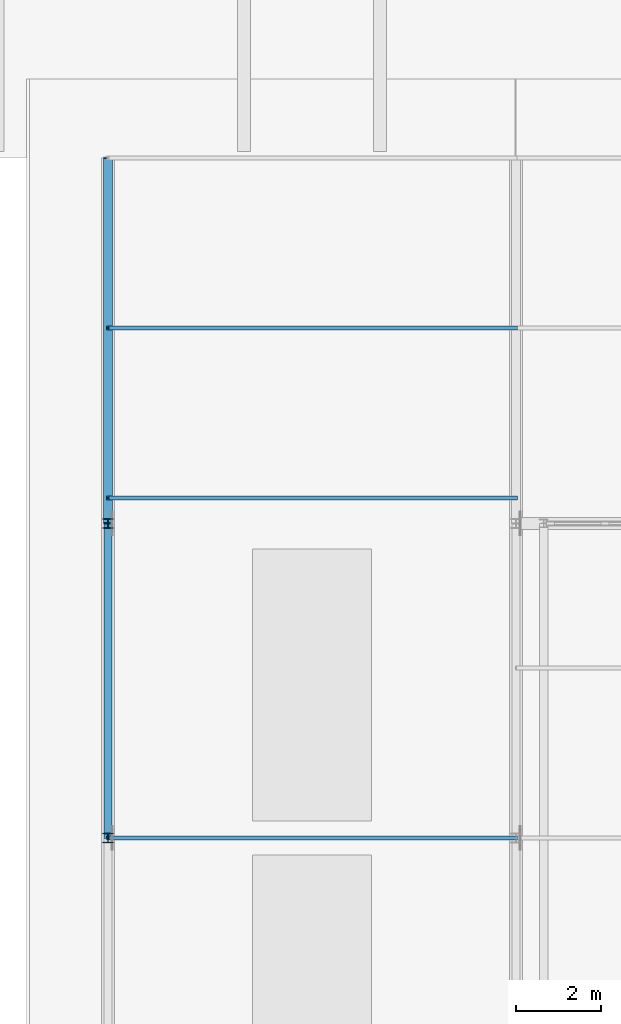
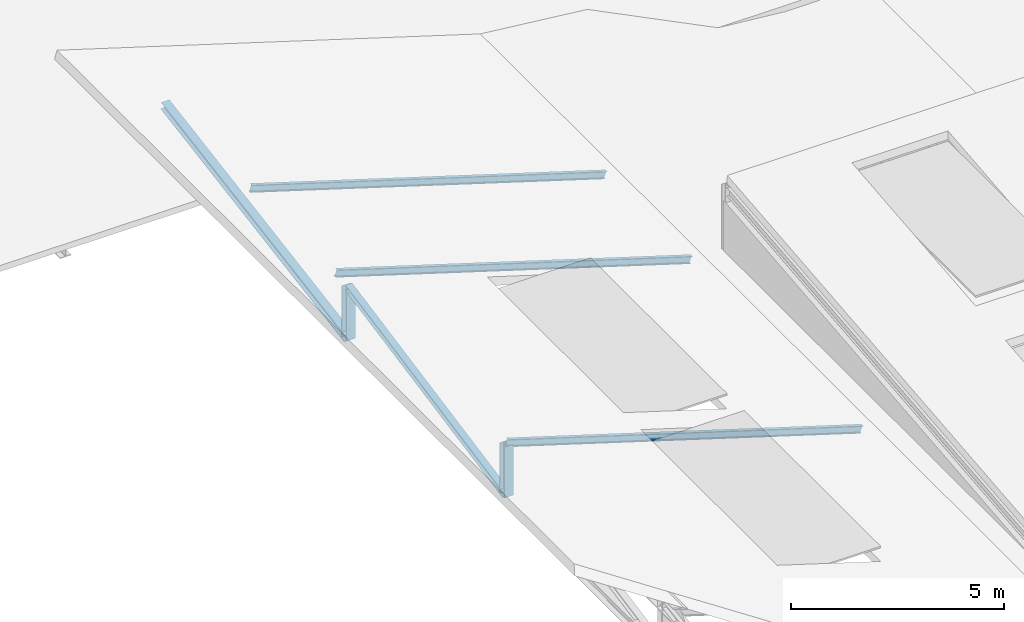
# One storey, part 5 of 30: 7 members.
"""IFC4 building model written with IfcOpenShell, lengths in metres."""

from ifc_helpers import new_model, si_unit, direction, frame, origin, origin_2d, place, context, subcontext, project, spatial, i_section, extrude, material, material_profile, profile_set, type_object, element, save


model = new_model("IFC4")

# Units and contexts
model_context = context("Model", 3, precision=1e-05, world=origin(), true_north=direction((0.0, 1.0)))
body_context = subcontext(model_context, "Body", "Model", "MODEL_VIEW")
ifc_project = project(units=[si_unit("LENGTHUNIT", "METRE"), si_unit("AREAUNIT", "SQUARE_METRE"), si_unit("VOLUMEUNIT", "CUBIC_METRE"), si_unit("PLANEANGLEUNIT", "RADIAN"), si_unit("MASSUNIT", "GRAM", prefix="KILO")], contexts=[model_context])

# Site, building, storey
site_placement = place(None, origin())
site = spatial("IfcSite", under=ifc_project, at=site_placement, CompositionType="ELEMENT")
building_placement = place(site_placement, origin())
building = spatial("IfcBuilding", under=site, at=building_placement, Name="Alderhovde Museum", CompositionType="ELEMENT")
storey_placement = place(building_placement, frame((0.0, 0.0, 30.699951171875)))
storey = spatial("IfcBuildingStorey", under=building, at=storey_placement, Name="RF", CompositionType="ELEMENT", Elevation=30.699951171875)

# Members
ifc_material_1 = material(Name="Steel S355J2", Category="steel")
ifc_material_profile_1 = material_profile(ifc_material_1, i_section(OverallWidth=0.10009765625, OverallDepth=0.199951171875, WebThickness=0.005615234375, FlangeThickness=0.008544921875, FilletRadius=0.011962890625, at=origin_2d()), Name="IPE 200")
ifc_profile_set_1 = profile_set([ifc_material_profile_1], Name="Steel S355J2")
member_type_1 = type_object("IfcMemberType", Name="PRL-IPE200", PredefinedType="PURLIN", material=ifc_profile_set_1)
for number, where, z_axis, x_axis, name in (
    (1, (9.60009765625, 64.0, 1.22998046875), (0.955325587026, 0.0, -0.295555447882), (0.0, 1.0, 0.0), "Folded Wing Roof Purlin Bay 1 Y=64"),
    (2, (9.60009765625, 72.0, 1.22998046875), (0.955325587026, 0.0, -0.295555447882), (0.0, 1.0, 0.0), "Folded Wing Roof Purlin Bay 1 Y=72"),
    (3, (9.60009765625, 76.0, 1.22998046875), (0.955325587026, 0.0, -0.295555447882), (0.0, 1.0, 0.0), "Folded Wing Roof Purlin Bay 1 Y=76"),
):
    element("IfcMember", number, at=place(storey_placement, frame(where, z_axis=z_axis, x_axis=x_axis)), inside=storey, type_object=member_type_1, Name=name, PredefinedType="PURLIN", context=body_context, shape_type="SweptSolid", body=[
        extrude(i_section(OverallWidth=0.10009765625, OverallDepth=0.199951171875, WebThickness=0.005615234375, FlangeThickness=0.008544921875, FilletRadius=0.011962890625, at=origin_2d()), origin(), (0.0, 0.0, 1.0), 10.048828125),
    ])
ifc_material_2 = material(Name="Steel S355J2", Category="steel")
ifc_material_profile_2 = material_profile(ifc_material_2, i_section(OverallWidth=0.179931640625, OverallDepth=0.1708984375, WebThickness=0.006103515625, FlangeThickness=0.009521484375, FilletRadius=0.014892578125, at=origin_2d()), Name="HEA 180")
ifc_profile_set_2 = profile_set([ifc_material_profile_2], Name="Steel S355J2")
member_type_2 = type_object("IfcMemberType", Name="TR-DG-HEA180", PredefinedType="RAFTER", material=ifc_profile_set_2)
member_1_placement = place(storey_placement, frame((9.60009765625, 64.0, -0.25), z_axis=(0.0, 0.981339033656, 0.192285467532), x_axis=(-1.0, 0.0, 0.0)))
element("IfcMember", 4, at=member_1_placement, inside=storey, type_object=member_type_2, Name="Sawtooth Roof Truss X=9.6 Web Diagonal 3", PredefinedType="RAFTER", context=body_context, shape_type="SweptSolid", body=[
    extrude(i_section(OverallWidth=0.179931640625, OverallDepth=0.1708984375, WebThickness=0.006103515625, FlangeThickness=0.009521484375, FilletRadius=0.014892578125, at=origin_2d()), origin(), (0.0, 0.0, 1.0), 7.54052734375),
])
ifc_material_3 = material(Name="Steel S355J2", Category="steel")
ifc_material_profile_3 = material_profile(ifc_material_3, i_section(OverallWidth=0.219970703125, OverallDepth=0.2099609375, WebThickness=0.007080078125, FlangeThickness=0.010986328125, FilletRadius=0.01806640625, at=origin_2d()), Name="HEA 220")
ifc_profile_set_3 = profile_set([ifc_material_profile_3], Name="Steel S355J2")
member_type_3 = type_object("IfcMemberType", Name="TR-DG-HEA220", PredefinedType="RAFTER", material=ifc_profile_set_3)
member_2_placement = place(storey_placement, frame((9.60009765625, 71.39990234375, -0.25), z_axis=(0.0, 0.986083504849, 0.166250778837), x_axis=(-1.0, 0.0, 0.0)))
element("IfcMember", 5, at=member_2_placement, inside=storey, type_object=member_type_3, Name="Sawtooth Roof Truss X=9.6 Web Diagonal 4", PredefinedType="RAFTER", context=body_context, shape_type="SweptSolid", body=[
    extrude(i_section(OverallWidth=0.219970703125, OverallDepth=0.2099609375, WebThickness=0.007080078125, FlangeThickness=0.010986328125, FilletRadius=0.01806640625, at=origin_2d()), origin(), (0.0, 0.0, 1.0), 8.721435546875),
])
ifc_material_4 = material(Name="Steel S355J2", Category="steel")
ifc_material_profile_4 = material_profile(ifc_material_4, i_section(OverallWidth=0.239990234375, OverallDepth=0.22998046875, WebThickness=0.007568359375, FlangeThickness=0.011962890625, FilletRadius=0.02099609375, at=origin_2d()), Name="HEA 240")
ifc_profile_set_4 = profile_set([ifc_material_profile_4], Name="Steel S355J2")
member_type_4 = type_object("IfcMemberType", Name="TR-PS-HEA240", PredefinedType="POST", material=ifc_profile_set_4)
for number, where, z_axis, x_axis, name in (
    (6, (9.60009765625, 64.0, -0.25), (0.0, 0.0, 1.0), (1.0, 0.0, 0.0), "Sawtooth Roof Truss X=9.6 Web Post 2"),
    (7, (9.60009765625, 71.39990234375, -0.25), (0.0, 0.0, 1.0), (1.0, 0.0, 0.0), "Sawtooth Roof Truss X=9.6 Web Post 3"),
):
    element("IfcMember", number, at=place(storey_placement, frame(where, z_axis=z_axis, x_axis=x_axis)), inside=storey, type_object=member_type_4, Name=name, PredefinedType="POST", context=body_context, shape_type="SweptSolid", body=[
        extrude(i_section(OverallWidth=0.239990234375, OverallDepth=0.22998046875, WebThickness=0.007568359375, FlangeThickness=0.011962890625, FilletRadius=0.02099609375, at=origin_2d()), origin(), (0.0, 0.0, 1.0), 1.449951171875),
    ])

save(model, "model.ifc")
